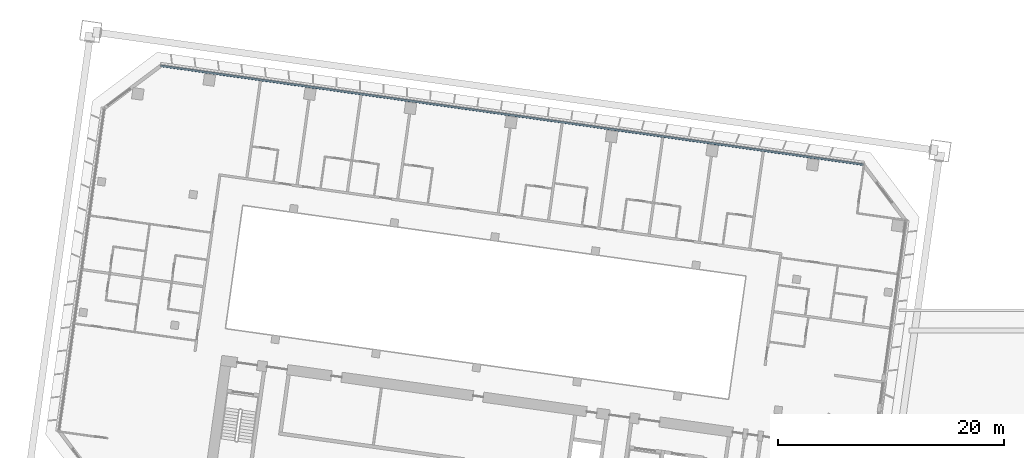
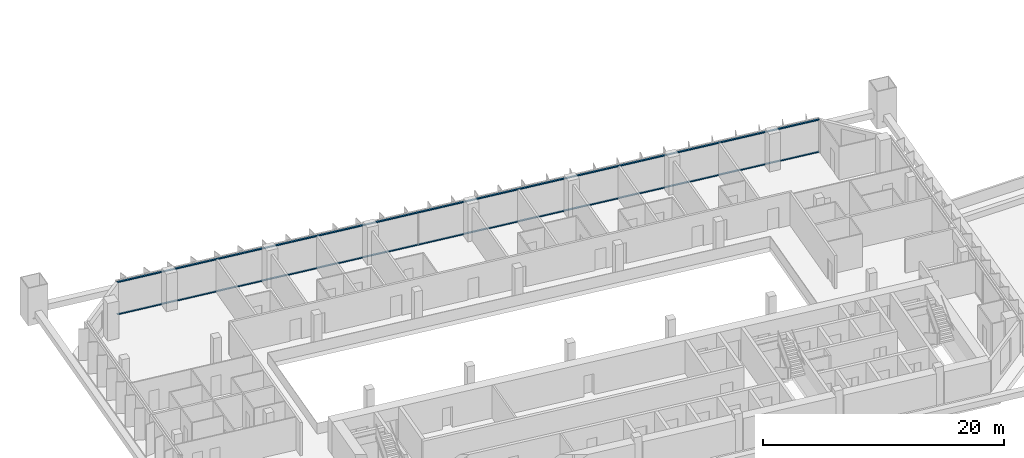
# One storey, part 7 of 46: 2 members, 1 element without a shape of its own.
"""IFC4 building model written with IfcOpenShell, lengths in metres."""

from ifc_helpers import new_model, si_unit, direction, frame, origin, origin_2d, place, context, subcontext, project, spatial, rectangle, extrude, material, material_profile, profile_set, type_object, element, aggregate, save


model = new_model("IFC4")

# Units and contexts
model_context = context("Model", 3, precision=1e-05, world=origin(), true_north=direction((0.0, 1.0)))
body_context = subcontext(model_context, "Body", "Model", "MODEL_VIEW")
ifc_project = project(units=[si_unit("LENGTHUNIT", "METRE"), si_unit("AREAUNIT", "SQUARE_METRE"), si_unit("VOLUMEUNIT", "CUBIC_METRE"), si_unit("PLANEANGLEUNIT", "RADIAN"), si_unit("MASSUNIT", "GRAM", prefix="KILO")], contexts=[model_context])

# Site, building, storey
site_placement = place(None, origin())
site = spatial("IfcSite", under=ifc_project, at=site_placement, CompositionType="ELEMENT")
building_placement = place(site_placement, origin())
building = spatial("IfcBuilding", under=site, at=building_placement, Name="Mirante Cascada Hotel Towers", CompositionType="ELEMENT")
storey_placement = place(building_placement, frame((0.0, 0.0, 39.5)))
storey = spatial("IfcBuildingStorey", under=building, at=storey_placement, Name="L06", CompositionType="ELEMENT", Elevation=39.5)

# Curtain wall, members
ifc_material_1 = material(Name="Aluminium mullion and transom frame with clear laminated glass", Category="aluminium")
curtain_wall_type = type_object("IfcCurtainWallType", Name="Ribbon curtain wall ECW1", PredefinedType="NOTDEFINED", material=ifc_material_1)
curtain_wall_placement = place(storey_placement, origin())
curtain_wall = element("IfcCurtainWall", 1, at=curtain_wall_placement, inside=storey, type_object=curtain_wall_type, Name="Front ribbon wall T1 L06", PredefinedType="NOTDEFINED")
ifc_material_2 = material(Name="Anodised aluminium extrusion", Category="aluminium")
ifc_material_profile = material_profile(ifc_material_2, rectangle(XDim=0.16, YDim=0.1, at=origin_2d()), Name="ECW1 TRANSOM 100x160")
ifc_profile_set = profile_set([ifc_material_profile], Name="Anodised aluminium extrusion")
member_type = type_object("IfcMemberType", Name="ECW1 transom 100x160", PredefinedType="USERDEFINED", material=ifc_profile_set)
member_1_placement = place(storey_placement, frame((-94.1582, 26.0521, 0.05), z_axis=(0.9902681, -0.1391728, 0.0), x_axis=(0.1391728, 0.9902681, 0.0)))
member_1 = element("IfcMember", 2, at=member_1_placement, type_object=member_type, Name="ECW1 sill transom", ObjectType="TRANSOM", PredefinedType="USERDEFINED", context=body_context, shape_type="SweptSolid", body=[
    extrude(rectangle(XDim=0.16, YDim=0.1, at=origin_2d()), origin(), (0.0, 0.0, 1.0), 62.8758),
])
member_2_placement = place(storey_placement, frame((-94.1582, 26.0521, 3.3), z_axis=(0.9902681, -0.1391728, 0.0), x_axis=(0.1391728, 0.9902681, 0.0)))
member_2 = element("IfcMember", 3, at=member_2_placement, type_object=member_type, Name="ECW1 head transom", ObjectType="TRANSOM", PredefinedType="USERDEFINED", context=body_context, shape_type="SweptSolid", body=[
    extrude(rectangle(XDim=0.16, YDim=0.1, at=origin_2d()), origin(), (0.0, 0.0, 1.0), 62.8758),
])
aggregate(curtain_wall, [member_1, member_2])

save(model, "model.ifc")
